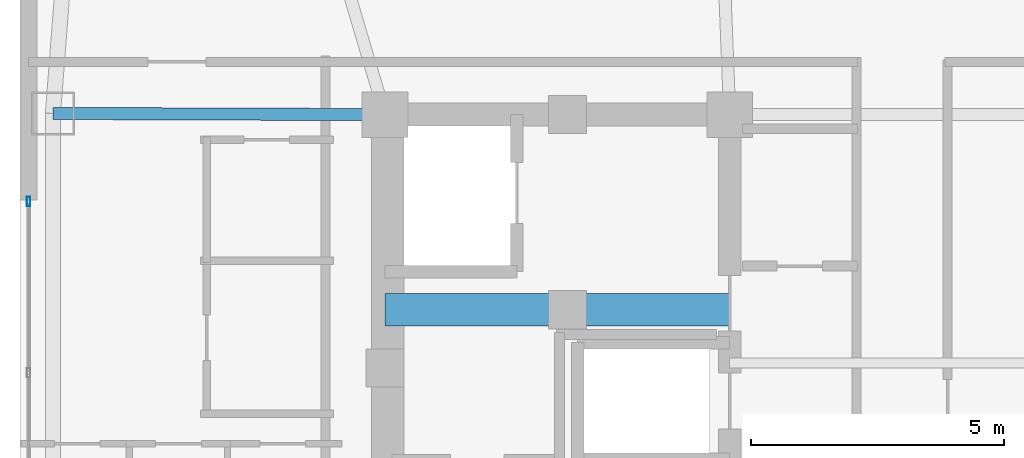
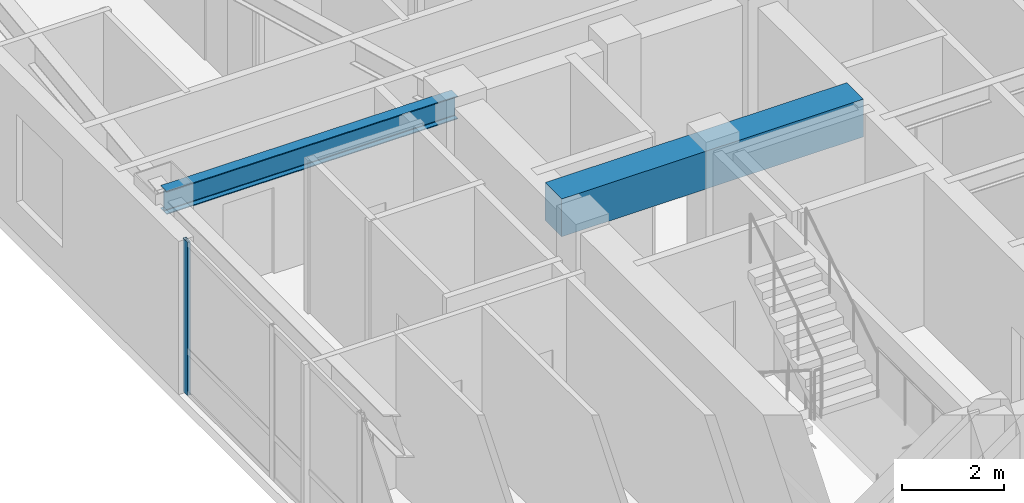
# One storey, part 7 of 29: 2 beams, 1 member, 1 element without a shape of its own.
"""IFC4 building model written with IfcOpenShell, lengths in metres."""

from ifc_helpers import new_model, si_unit, direction, frame, origin, origin_2d, place, context, subcontext, project, spatial, rectangle, hollow_rectangle, i_section, extrude, material, layer, layer_set, material_profile, profile_set, type_object, element, aggregate, save


model = new_model("IFC4")

# Units and contexts
model_context = context("Model", 3, precision=1e-05, world=origin(), true_north=direction((0.0, 1.0)))
body_context = subcontext(model_context, "Body", "Model", "MODEL_VIEW")
ifc_project = project(units=[si_unit("LENGTHUNIT", "METRE"), si_unit("AREAUNIT", "SQUARE_METRE"), si_unit("VOLUMEUNIT", "CUBIC_METRE"), si_unit("PLANEANGLEUNIT", "RADIAN"), si_unit("MASSUNIT", "GRAM", prefix="KILO")], contexts=[model_context])

# Site, building, storey
site_placement = place(None, origin())
site = spatial("IfcSite", under=ifc_project, at=site_placement, CompositionType="ELEMENT")
building_placement = place(site_placement, origin())
building = spatial("IfcBuilding", under=site, at=building_placement, Name="Voryun Gate Residences", CompositionType="ELEMENT")
storey_placement = place(building_placement, frame((0.0, 0.0, 211.89990234375)))
storey = spatial("IfcBuildingStorey", under=building, at=storey_placement, Name="L52", CompositionType="ELEMENT", Elevation=211.89990234375)

# Beams
ifc_material_1 = material(Name="Concrete C60/75", Category="concrete")
ifc_material_profile_1 = material_profile(ifc_material_1, rectangle(XDim=0.64990234375, YDim=0.89990234375, at=origin_2d()), Name="RC-650x900")
ifc_profile_set_1 = profile_set([ifc_material_profile_1], Name="Concrete C60/75")
beam_type_1 = type_object("IfcBeamType", Name="BM_COUP_RC900", PredefinedType="LINTEL", material=ifc_profile_set_1)
beam_1_placement = place(storey_placement, frame((-19.199951171875, 3.550048828125, 3.2001953125), z_axis=(1.0, 0.0, 0.0), x_axis=(0.0, 1.0, 0.0)))
element("IfcBeam", 1, at=beam_1_placement, inside=storey, type_object=beam_type_1, Name="BM-L52-WC1", PredefinedType="LINTEL", context=body_context, shape_type="SweptSolid", body=[
    extrude(rectangle(XDim=0.64990234375, YDim=0.89990234375, at=origin_2d()), origin(), (0.0, 0.0, 1.0), 6.800048828125),
])
ifc_material_2 = material(Name="Steel SM355", Category="steel")
ifc_material_profile_2 = material_profile(ifc_material_2, i_section(OverallWidth=0.239990234375, OverallDepth=0.550048828125, WebThickness=0.011962890625, FlangeThickness=0.02001953125, FilletRadius=0.01806640625, at=origin_2d()), Name="H-550x240x12x20")
ifc_profile_set_2 = profile_set([ifc_material_profile_2], Name="Steel SM355")
beam_type_2 = type_object("IfcBeamType", Name="BM_GIRD_550", PredefinedType="USERDEFINED", material=ifc_profile_set_2)
beam_2_placement = place(storey_placement, frame((-19.199951171875, 7.39990234375, 3.375), z_axis=(-0.999994247719, 0.003391832589, 0.0), x_axis=(-0.003391832589, -0.999994247719, 0.0)))
element("IfcBeam", 2, at=beam_2_placement, inside=storey, type_object=beam_type_2, Name="BM-L52-RAD-W1", ObjectType="GIRDER", PredefinedType="USERDEFINED", context=body_context, shape_type="SweptSolid", body=[
    extrude(i_section(OverallWidth=0.239990234375, OverallDepth=0.550048828125, WebThickness=0.011962890625, FlangeThickness=0.02001953125, FilletRadius=0.01806640625, at=origin_2d()), origin(), (0.0, 0.0, 1.0), 6.550048828125),
])

# Curtain wall, member
ifc_material_3 = material(Name="Anodised aluminium", Category="aluminium")
ifc_layer = layer(ifc_material_3, 0.18994140625, Name="CW_SYS_RES_B_DARK_GLASS")
ifc_layer_set = layer_set([ifc_layer], Name="Anodised aluminium")
curtain_wall_type = type_object("IfcCurtainWallType", Name="CW_SYS_RES_B_DARK_GLASS", PredefinedType="NOTDEFINED", material=ifc_layer_set)
curtain_wall_placement = place(storey_placement, origin())
curtain_wall = element("IfcCurtainWall", 3, at=curtain_wall_placement, inside=storey, type_object=curtain_wall_type, Name="Curtain wall CWT-L52-06", PredefinedType="NOTDEFINED")
ifc_material_4 = material(Name="Anodised aluminium", Category="aluminium")
ifc_material_profile_3 = material_profile(ifc_material_4, hollow_rectangle(XDim=0.070068359375, YDim=0.179931640625, WallThickness=0.00390625, at=origin_2d()), Name="ALU-MULL-180x70x4")
ifc_profile_set_3 = profile_set([ifc_material_profile_3], Name="Anodised aluminium")
member_type = type_object("IfcMemberType", Name="CW_MULL_RES", PredefinedType="MULLION", material=ifc_profile_set_3)
member_placement = place(storey_placement, frame((-26.22998046875, 5.684814453125, 0.0), z_axis=(0.0, 0.0, 1.0), x_axis=(-1.0, 0.0, 0.0)))
member = element("IfcMember", 4, at=member_placement, type_object=member_type, Name="CW4 mullion 4", PredefinedType="MULLION", context=body_context, shape_type="SweptSolid", body=[
    extrude(hollow_rectangle(XDim=0.070068359375, YDim=0.179931640625, WallThickness=0.00390625, at=origin_2d()), origin(), (0.0, 0.0, 1.0), 3.650146484375),
])
aggregate(curtain_wall, [member])

save(model, "model.ifc")
